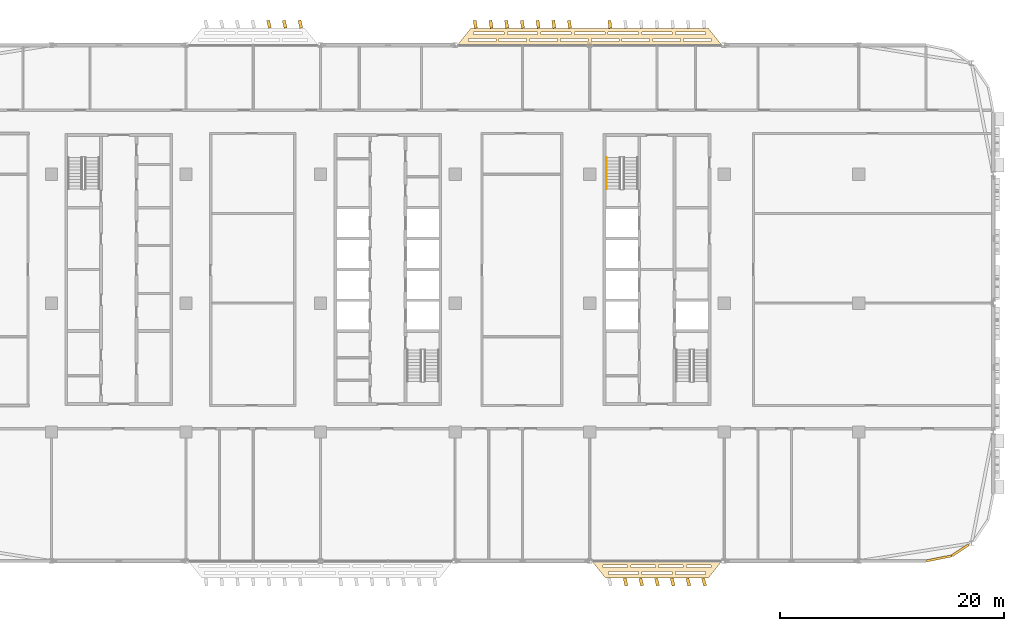
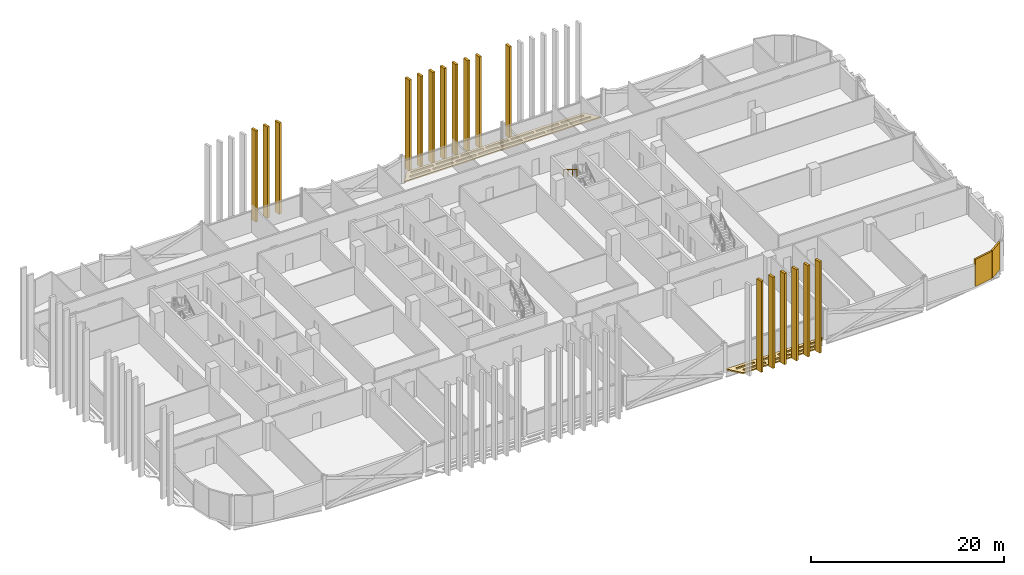
# One storey, part 28 of 30: 21 coverings, 1 railing.
"""IFC4 building model written with IfcOpenShell, lengths in metres."""

from ifc_helpers import new_model, si_unit, direction, frame, origin, origin_2d, place, context, subcontext, project, spatial, polyline, rectangle, circle, outline, extrude, material, layer, layer_set, type_object, element, save


model = new_model("IFC4")

# Units and contexts
model_context = context("Model", 3, precision=1e-05, world=origin(), true_north=direction((0.0, 1.0)))
body_context = subcontext(model_context, "Body", "Model", "MODEL_VIEW")
ifc_project = project(units=[si_unit("LENGTHUNIT", "METRE"), si_unit("AREAUNIT", "SQUARE_METRE"), si_unit("VOLUMEUNIT", "CUBIC_METRE"), si_unit("PLANEANGLEUNIT", "RADIAN"), si_unit("MASSUNIT", "GRAM", prefix="KILO")], contexts=[model_context])

# Site, building, storey
site_placement = place(None, origin())
site = spatial("IfcSite", under=ifc_project, at=site_placement, CompositionType="ELEMENT")
building_placement = place(site_placement, origin())
building = spatial("IfcBuilding", under=site, at=building_placement, Name="Mahtab Terrace Research Tower", CompositionType="ELEMENT")
storey_placement = place(building_placement, frame((0.0, 0.0, 209.10009765625)))
storey = spatial("IfcBuildingStorey", under=building, at=storey_placement, Name="L50", CompositionType="ELEMENT", Elevation=209.10009765625)

# Coverings
ifc_material_1 = material(Name="Black aluminium cladding panel", Category="aluminium")
ifc_layer_1 = layer(ifc_material_1, 0.199951171875)
ifc_layer_set_1 = layer_set([ifc_layer_1], Name="Black metal corner cladding 200")
covering_type_1 = type_object("IfcCoveringType", Name="Black metal corner cladding 200", PredefinedType="CLADDING", material=ifc_layer_set_1)
covering_1_placement = place(storey_placement, frame((49.14794921875, -22.771484375, 0.0), z_axis=(0.0, 0.0, 1.0), x_axis=(0.980760981187, 0.195212442692, 0.0)))
element("IfcCovering", 1, at=covering_1_placement, inside=storey, type_object=covering_type_1, Name="Corner cladding L50 31", PredefinedType="CLADDING", context=body_context, shape_type="SweptSolid", body=[
    extrude(rectangle(XDim=2.30126953125, YDim=0.199951171875, at=origin_2d()), origin(), (0.0, 0.0, 1.0), 3.4599609375),
])
covering_2_placement = place(storey_placement, frame((51.059814453125, -22.032958984375, 0.0), z_axis=(0.0, 0.0, 1.0), x_axis=(0.831655794326, 0.555291490808, 0.0)))
element("IfcCovering", 2, at=covering_2_placement, inside=storey, type_object=covering_type_1, Name="Corner cladding L50 32", PredefinedType="CLADDING", context=body_context, shape_type="SweptSolid", body=[
    extrude(rectangle(XDim=1.797119140625, YDim=0.199951171875, at=origin_2d()), origin(), (0.0, 0.0, 1.0), 3.4599609375),
])
ifc_material_2 = material(Name="Black anodised aluminium", Category="aluminium")
ifc_layer_2 = layer(ifc_material_2, 0.14990234375)
ifc_layer_set_2 = layer_set([ifc_layer_2], Name="Horizontal sunshade band")
covering_type_2 = type_object("IfcCoveringType", Name="Horizontal sunshade band", PredefinedType="CLADDING", material=ifc_layer_set_2)
covering_3_placement = place(storey_placement, frame((0.0, 0.0, -0.150146484375)))
element("IfcCovering", 3, at=covering_3_placement, inside=storey, type_object=covering_type_2, Name="Sunshade band L50 5", PredefinedType="CLADDING", context=body_context, shape_type="SweptSolid", body=[
    extrude(outline(polyline([(29.800048828125, 23.0), (6.199951171875, 23.0), (7.39990234375, 24.5), (28.60009765625, 24.5), (29.800048828125, 23.0)]), holes=[polyline([(28.820068359375, 23.35009765625), (26.3779296875, 23.35009765625), (26.3779296875, 23.60009765625), (28.820068359375, 23.60009765625), (28.820068359375, 23.35009765625)]), polyline([(26.077880859375, 23.35009765625), (23.635009765625, 23.35009765625), (23.635009765625, 23.60009765625), (26.077880859375, 23.60009765625), (26.077880859375, 23.35009765625)]), polyline([(23.3349609375, 23.35009765625), (20.89306640625, 23.35009765625), (20.89306640625, 23.60009765625), (23.3349609375, 23.60009765625), (23.3349609375, 23.35009765625)]), polyline([(20.593017578125, 23.35009765625), (18.14990234375, 23.35009765625), (18.14990234375, 23.60009765625), (20.593017578125, 23.60009765625), (20.593017578125, 23.35009765625)]), polyline([(17.85009765625, 23.35009765625), (15.406982421875, 23.35009765625), (15.406982421875, 23.60009765625), (17.85009765625, 23.60009765625), (17.85009765625, 23.35009765625)]), polyline([(15.10791015625, 23.35009765625), (12.6650390625, 23.35009765625), (12.6650390625, 23.60009765625), (15.10791015625, 23.60009765625), (15.10791015625, 23.35009765625)]), polyline([(12.364990234375, 23.35009765625), (9.922119140625, 23.35009765625), (9.922119140625, 23.60009765625), (12.364990234375, 23.60009765625), (12.364990234375, 23.35009765625)]), polyline([(9.623046875, 23.35009765625), (7.179931640625, 23.35009765625), (7.179931640625, 23.60009765625), (9.623046875, 23.60009765625), (9.623046875, 23.35009765625)]), polyline([(28.340087890625, 23.949951171875), (25.64306640625, 23.949951171875), (25.64306640625, 24.199951171875), (28.340087890625, 24.199951171875), (28.340087890625, 23.949951171875)]), polyline([(25.343017578125, 23.949951171875), (22.64599609375, 23.949951171875), (22.64599609375, 24.199951171875), (25.343017578125, 24.199951171875), (25.343017578125, 23.949951171875)]), polyline([(22.345947265625, 23.949951171875), (19.64892578125, 23.949951171875), (19.64892578125, 24.199951171875), (22.345947265625, 24.199951171875), (22.345947265625, 23.949951171875)]), polyline([(19.34912109375, 23.949951171875), (16.65087890625, 23.949951171875), (16.65087890625, 24.199951171875), (19.34912109375, 24.199951171875), (19.34912109375, 23.949951171875)]), polyline([(16.35107421875, 23.949951171875), (13.654052734375, 23.949951171875), (13.654052734375, 24.199951171875), (16.35107421875, 24.199951171875), (16.35107421875, 23.949951171875)]), polyline([(13.35400390625, 23.949951171875), (10.656982421875, 23.949951171875), (10.656982421875, 24.199951171875), (13.35400390625, 24.199951171875), (13.35400390625, 23.949951171875)]), polyline([(10.35693359375, 23.949951171875), (7.659912109375, 23.949951171875), (7.659912109375, 24.199951171875), (10.35693359375, 24.199951171875), (10.35693359375, 23.949951171875)])]), origin(), (0.0, 0.0, 1.0), 0.150146484375),
])
covering_4_placement = place(storey_placement, frame((0.0, 0.0, -0.150146484375)))
element("IfcCovering", 4, at=covering_4_placement, inside=storey, type_object=covering_type_2, Name="Sunshade band L50 28", PredefinedType="CLADDING", context=body_context, shape_type="SweptSolid", body=[
    extrude(outline(polyline([(18.199951171875, -23.0), (29.800048828125, -23.0), (28.60009765625, -24.5), (19.39990234375, -24.5), (18.199951171875, -23.0)]), holes=[polyline([(19.179931640625, -23.35009765625), (21.364990234375, -23.35009765625), (21.364990234375, -23.60009765625), (19.179931640625, -23.60009765625), (19.179931640625, -23.35009765625)]), polyline([(21.6650390625, -23.35009765625), (23.85009765625, -23.35009765625), (23.85009765625, -23.60009765625), (21.6650390625, -23.60009765625), (21.6650390625, -23.35009765625)]), polyline([(24.14990234375, -23.35009765625), (26.3349609375, -23.35009765625), (26.3349609375, -23.60009765625), (24.14990234375, -23.60009765625), (24.14990234375, -23.35009765625)]), polyline([(26.635009765625, -23.35009765625), (28.820068359375, -23.35009765625), (28.820068359375, -23.60009765625), (26.635009765625, -23.60009765625), (26.635009765625, -23.35009765625)]), polyline([(19.659912109375, -23.949951171875), (22.35302734375, -23.949951171875), (22.35302734375, -24.199951171875), (19.659912109375, -24.199951171875), (19.659912109375, -23.949951171875)]), polyline([(22.653076171875, -23.949951171875), (25.346923828125, -23.949951171875), (25.346923828125, -24.199951171875), (22.653076171875, -24.199951171875), (22.653076171875, -23.949951171875)]), polyline([(25.64697265625, -23.949951171875), (28.340087890625, -23.949951171875), (28.340087890625, -24.199951171875), (25.64697265625, -24.199951171875), (25.64697265625, -23.949951171875)])]), origin(), (0.0, 0.0, 1.0), 0.150146484375),
])

# Railing
ifc_material_3 = material(Name="Stainless steel AISI 304", Category="steel")
railing_type = type_object("IfcRailingType", Name="Stair handrail 900", PredefinedType="HANDRAIL", material=ifc_material_3)
railing_placement = place(storey_placement, frame((19.5, 12.97509765625, 2.072509765625)))
element("IfcRailing", 5, at=railing_placement, inside=storey, type_object=railing_type, Name="L50 ST3 stair handrail 2", PredefinedType="HANDRAIL", context=body_context, shape_type="SweptSolid", body=[
    extrude(circle(Radius=0.02392578125, at=origin_2d()), frame((0.0, 0.0, 0.8759765625), z_axis=(0.0, -0.851089632645, 0.525020415988), x_axis=(1.0, 0.0, 0.0)), (0.0, 0.0, 1.0), 3.2900390625),
    extrude(circle(Radius=0.02099609375, at=origin_2d()), origin(), (0.0, 0.0, 1.0), 0.851806640625),
    extrude(circle(Radius=0.02099609375, at=origin_2d()), frame((0.0, -0.933349609375, 0.57568359375)), (0.0, 0.0, 1.0), 0.851806640625),
    extrude(circle(Radius=0.02099609375, at=origin_2d()), frame((0.0, -1.86669921875, 1.151611328125)), (0.0, 0.0, 1.0), 0.851806640625),
    extrude(circle(Radius=0.02099609375, at=origin_2d()), frame((0.0, -2.800048828125, 1.727294921875)), (0.0, 0.0, 1.0), 0.851806640625),
])

# Coverings
ifc_material_4 = material(Name="Bronze anodised aluminium", Category="aluminium")
ifc_layer_3 = layer(ifc_material_4, 0.1201171875)
ifc_layer_set_3 = layer_set([ifc_layer_3], Name="Vertical fin 700")
covering_type_3 = type_object("IfcCoveringType", Name="Vertical fin 700", PredefinedType="CLADDING", material=ifc_layer_set_3)
for number, where, z_axis, x_axis, name in (
    (6, (19.800048828125, 24.864013671875, -0.14990234375), (0.0, 0.0, 1.0), (-0.993141528832, -0.116918363435, 0.0), "Fin L50 N7"),
    (7, (16.199951171875, 24.865478515625, -0.14990234375), (0.0, 0.0, 1.0), (-0.991281368707, -0.131762088833, 0.0), "Fin L50 N1"),
    (8, (14.800048828125, 24.865966796875, -0.14990234375), (0.0, 0.0, 1.0), (-0.990498036675, -0.137526867716, 0.0), "Fin L50 N2"),
    (9, (13.39990234375, 24.866455078125, -0.14990234375), (0.0, 0.0, 1.0), (-0.989681179966, -0.143286991809, 0.0), "Fin L50 N3"),
    (10, (12.0, 24.866943359375, -0.14990234375), (0.0, 0.0, 1.0), (-0.988830826226, -0.149042266169, 0.0), "Fin L50 N4"),
    (11, (10.60009765625, 24.867431640625, -0.14990234375), (0.0, 0.0, 1.0), (-0.987947004235, -0.154792496019, 0.0), "Fin L50 N5"),
    (12, (9.199951171875, 24.867919921875, -0.14990234375), (0.0, 0.0, 1.0), (-0.98702974391, -0.160537486702, 0.0), "Fin L50 N6"),
    (13, (7.800048828125, 24.868408203125, -0.14990234375), (0.0, 0.0, 1.0), (-0.986079076296, -0.166277043787, 0.0), "Fin L50 N7"),
    (14, (-7.800048828125, 24.872802734375, -0.14990234375), (0.0, 0.0, 1.0), (-0.973236201459, -0.22980708468, 0.0), "Fin L50 N1"),
    (15, (-9.199951171875, 24.873046875, -0.14990234375), (0.0, 0.0, 1.0), (-0.971882775364, -0.235465222381, 0.0), "Fin L50 N2"),
    (16, (-10.60009765625, 24.87353515625, -0.14990234375), (0.0, 0.0, 1.0), (-0.970496454648, -0.24111539046, 0.0), "Fin L50 N3"),
    (17, (21.199951171875, -24.873046875, -0.14990234375), (0.0, 0.0, 1.0), (0.971882775364, 0.235465222381, 0.0), "Fin L50 S2"),
    (18, (22.60009765625, -24.87353515625, -0.14990234375), (0.0, 0.0, 1.0), (0.970496454648, 0.24111539046, 0.0), "Fin L50 S3"),
    (19, (24.0, -24.873779296875, -0.14990234375), (0.0, 0.0, 1.0), (0.969077286228, 0.246757397695, 0.0), "Fin L50 S4"),
    (20, (25.39990234375, -24.8740234375, -0.14990234375), (0.0, 0.0, 1.0), (0.967625318147, 0.252391053092, 0.0), "Fin L50 S5"),
    (21, (26.800048828125, -24.874267578125, -0.14990234375), (0.0, 0.0, 1.0), (0.966140599544, 0.25801616599, 0.0), "Fin L50 S6"),
    (22, (28.199951171875, -24.87451171875, -0.14990234375), (0.0, 0.0, 1.0), (0.964623180667, 0.263632546017, 0.0), "Fin L50 S7"),
):
    element("IfcCovering", number, at=place(storey_placement, frame(where, z_axis=z_axis, x_axis=x_axis)), inside=storey, type_object=covering_type_3, Name=name, PredefinedType="CLADDING", context=body_context, shape_type="SweptSolid", body=[
        extrude(rectangle(XDim=0.280029296875, YDim=0.699951171875, at=origin_2d()), origin(), (0.0, 0.0, 1.0), 11.550048828125),
    ])

save(model, "model.ifc")
